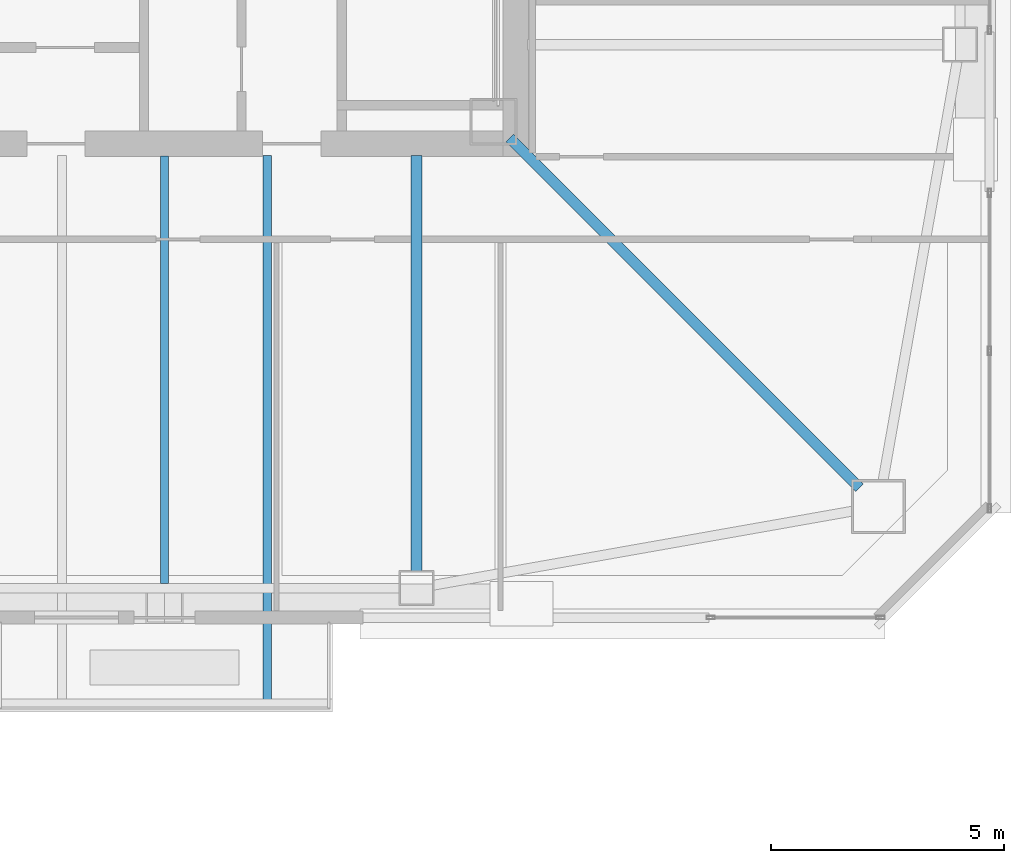
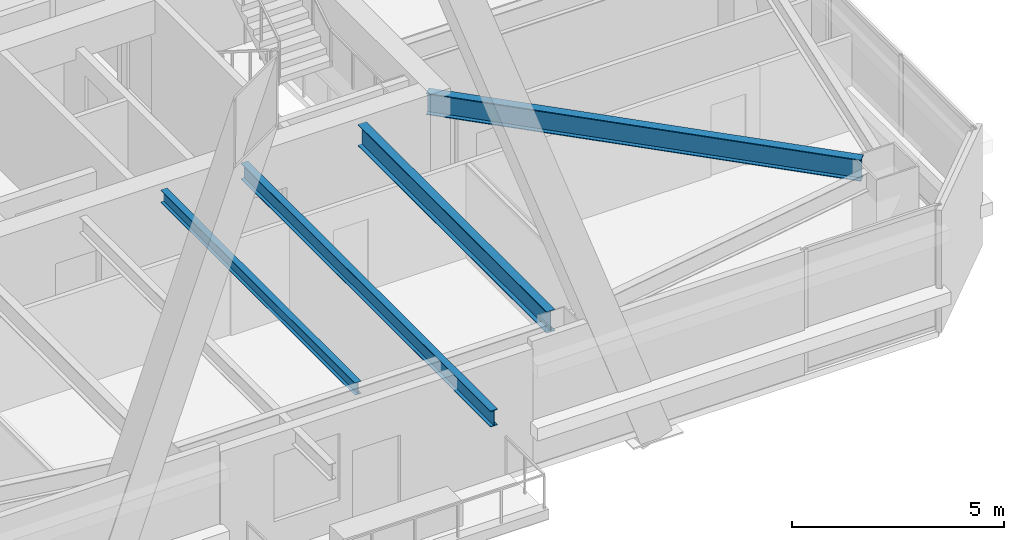
# One storey, part 8 of 55: 4 beams.
"""IFC4 building model written with IfcOpenShell, lengths in metres."""

from ifc_helpers import new_model, si_unit, direction, frame, origin, origin_2d, place, context, subcontext, project, spatial, i_section, extrude, material, material_profile, profile_set, type_object, element, save


model = new_model("IFC4")

# Units and contexts
model_context = context("Model", 3, precision=1e-05, world=origin(), true_north=direction((0.0, 1.0)))
body_context = subcontext(model_context, "Body", "Model", "MODEL_VIEW")
ifc_project = project(units=[si_unit("LENGTHUNIT", "METRE"), si_unit("AREAUNIT", "SQUARE_METRE"), si_unit("VOLUMEUNIT", "CUBIC_METRE"), si_unit("PLANEANGLEUNIT", "RADIAN"), si_unit("MASSUNIT", "GRAM", prefix="KILO")], contexts=[model_context])

# Site, building, storey
site_placement = place(None, origin())
site = spatial("IfcSite", under=ifc_project, at=site_placement, CompositionType="ELEMENT")
building_placement = place(site_placement, origin())
building = spatial("IfcBuilding", under=site, at=building_placement, Name="Tashvorn Skyway Center", CompositionType="ELEMENT")
storey_placement = place(building_placement, frame((0.0, 0.0, 178.300048828125)))
storey = spatial("IfcBuildingStorey", under=building, at=storey_placement, Name="L48", CompositionType="ELEMENT", Elevation=178.300048828125)

# Beams
ifc_material = material(Name="Steel ASTM A992 Grade 50", Category="steel")
ifc_material_profile_1 = material_profile(ifc_material, i_section(OverallWidth=0.22998046875, OverallDepth=0.616943359375, WebThickness=0.01318359375, FlangeThickness=0.022216796875, at=origin_2d()), Name="W24X94")
ifc_profile_set_1 = profile_set([ifc_material_profile_1], Name="Steel ASTM A992 Grade 50")
beam_type_1 = type_object("IfcBeamType", Name="BM-BEAM-W24X94", PredefinedType="BEAM", material=ifc_profile_set_1)
beam_1_placement = place(storey_placement, frame((56.89697265625, 17.10302734375, 3.0615234375), z_axis=(-0.707106781187, 0.707106781187, 0.0), x_axis=(-0.707106781187, -0.707106781187, 0.0)))
element("IfcBeam", 1, at=beam_1_placement, inside=storey, type_object=beam_type_1, Name="Tower 1 L48 Primary Floor Girder MC-SE", PredefinedType="BEAM", context=body_context, shape_type="SweptSolid", body=[
    extrude(i_section(OverallWidth=0.22998046875, OverallDepth=0.616943359375, WebThickness=0.01318359375, FlangeThickness=0.022216796875, at=origin_2d()), origin(), (0.0, 0.0, 1.0), 10.6025390625),
])
beam_2_placement = place(storey_placement, frame((47.39990234375, 15.320068359375, 3.0615234375), z_axis=(0.0, 1.0, 0.0), x_axis=(-1.0, 0.0, 0.0)))
element("IfcBeam", 2, at=beam_2_placement, inside=storey, type_object=beam_type_1, Name="Tower 1 L48 Primary Floor Girder FC-S2", PredefinedType="BEAM", context=body_context, shape_type="SweptSolid", body=[
    extrude(i_section(OverallWidth=0.22998046875, OverallDepth=0.616943359375, WebThickness=0.01318359375, FlangeThickness=0.022216796875, at=origin_2d()), origin(), (0.0, 0.0, 1.0), 8.89990234375),
])
ifc_material_profile_2 = material_profile(ifc_material, i_section(OverallWidth=0.1708984375, OverallDepth=0.35498046875, WebThickness=0.007080078125, FlangeThickness=0.01171875, at=origin_2d()), Name="W14X34")
ifc_profile_set_2 = profile_set([ifc_material_profile_2], Name="Steel ASTM A992 Grade 50")
beam_type_2 = type_object("IfcBeamType", Name="BM-JOIST-W14X34", PredefinedType="JOIST", material=ifc_profile_set_2)
beam_3_placement = place(storey_placement, frame((42.0, 24.2099609375, 3.1923828125), z_axis=(0.0, -1.0, 0.0), x_axis=(1.0, 0.0, 0.0)))
element("IfcBeam", 3, at=beam_3_placement, inside=storey, type_object=beam_type_2, Name="Tower 1 L48 Secondary Composite Joist JS", PredefinedType="JOIST", context=body_context, shape_type="SweptSolid", body=[
    extrude(i_section(OverallWidth=0.1708984375, OverallDepth=0.35498046875, WebThickness=0.007080078125, FlangeThickness=0.01171875, at=origin_2d()), origin(), (0.0, 0.0, 1.0), 9.162353515625),
])
ifc_material_profile_3 = material_profile(ifc_material, i_section(OverallWidth=0.19091796875, OverallDepth=0.4599609375, WebThickness=0.010009765625, FlangeThickness=0.01611328125, at=origin_2d()), Name="W18X55")
ifc_profile_set_3 = profile_set([ifc_material_profile_3], Name="Steel ASTM A992 Grade 50")
beam_type_3 = type_object("IfcBeamType", Name="BM-JOIST-W18X55", PredefinedType="JOIST", material=ifc_profile_set_3)
beam_4_placement = place(storey_placement, frame((44.199951171875, 24.219970703125, 3.139892578125), z_axis=(0.0, -1.0, 0.0), x_axis=(1.0, 0.0, 0.0)))
element("IfcBeam", 4, at=beam_4_placement, inside=storey, type_object=beam_type_3, Name="Tower 1 L49 Terrace Cantilever Outlooker 2", PredefinedType="JOIST", context=body_context, shape_type="SweptSolid", body=[
    extrude(i_section(OverallWidth=0.19091796875, OverallDepth=0.4599609375, WebThickness=0.010009765625, FlangeThickness=0.01611328125, at=origin_2d()), origin(), (0.0, 0.0, 1.0), 11.77001953125),
])

save(model, "model.ifc")
